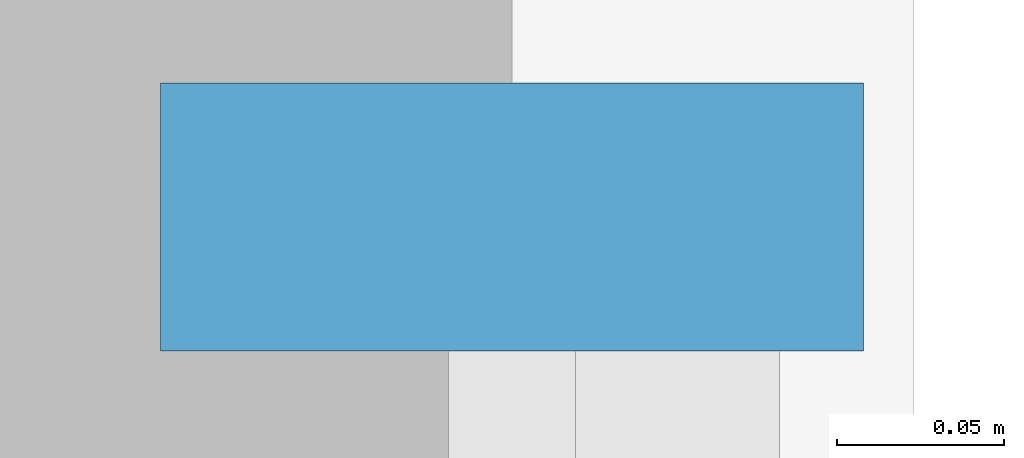
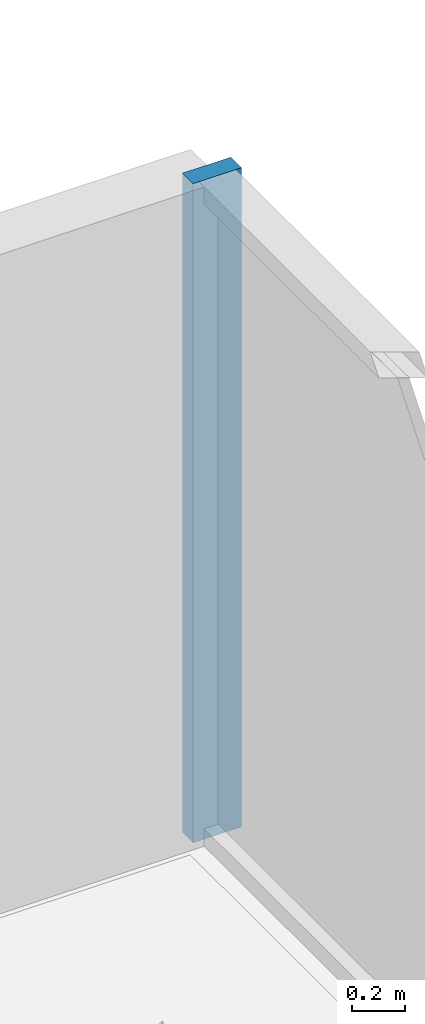
# One storey, part 5 of 11: 1 member, 1 element without a shape of its own.
"""IFC4 building model written with IfcOpenShell, lengths in metres."""

from ifc_helpers import new_model, si_unit, direction, frame, origin, origin_2d, place, context, subcontext, project, spatial, rectangle, extrude, source, transform, mapped, material, layer, layer_set, material_profile, profile_set, type_object, element, aggregate, save


model = new_model("IFC4")

# Units and contexts
model_context = context("Model", 3, precision=1e-05, world=origin(), true_north=direction((0.0, 1.0)))
body_context = subcontext(model_context, "Body", "Model", "MODEL_VIEW")
ifc_project = project(units=[si_unit("LENGTHUNIT", "METRE"), si_unit("AREAUNIT", "SQUARE_METRE"), si_unit("VOLUMEUNIT", "CUBIC_METRE"), si_unit("PLANEANGLEUNIT", "RADIAN"), si_unit("MASSUNIT", "GRAM", prefix="KILO")], contexts=[model_context])

# Site, building, storey
site_placement = place(None, origin())
site = spatial("IfcSite", under=ifc_project, at=site_placement, CompositionType="ELEMENT")
building_placement = place(site_placement, origin())
building = spatial("IfcBuilding", under=site, at=building_placement, Name="Qianlan Lanfeng Residences", CompositionType="ELEMENT")
storey_placement = place(building_placement, frame((0.0, 0.0, 124.60009765625)))
storey = spatial("IfcBuildingStorey", under=building, at=storey_placement, Name="L34", CompositionType="ELEMENT", Elevation=124.60009765625)

# Curtain wall, member
ifc_material = material(Name="Anodised Bronze Aluminium 6063-T6", Category="aluminium")
ifc_layer = layer(ifc_material, 0.219970703125)
ifc_layer_set = layer_set([ifc_layer], Name="Anodised Bronze Aluminium 6063-T6")
curtain_wall_type = type_object("IfcCurtainWallType", Name="CW-03", PredefinedType="NOTDEFINED", material=ifc_layer_set)
curtain_wall_placement = place(storey_placement, origin())
curtain_wall = element("IfcCurtainWall", 1, at=curtain_wall_placement, inside=storey, type_object=curtain_wall_type, Name="L34 Unitised Curtain Wall CWR-L34-05 (CW-03)", PredefinedType="NOTDEFINED")
ifc_material_profile = material_profile(ifc_material, rectangle(XDim=0.080078125, YDim=0.2099609375, at=origin_2d()), Name="ALU MULLION 80x210")
ifc_profile_set = profile_set([ifc_material_profile], Name="Anodised Bronze Aluminium 6063-T6")
member_type = type_object("IfcMemberType", Name="CWM-220", PredefinedType="MULLION", material=ifc_profile_set)
shared_shape = source(origin(), body_context, "Body", "SweptSolid", [
    extrude(rectangle(XDim=0.080078125, YDim=0.2099609375, at=origin_2d()), origin(), (0.0, 0.0, 1.0), 3.02978515625),
])
member_placement = place(storey_placement, frame((51.3798828125, 35.2900390625, 0.0), z_axis=(0.0, 0.0, 1.0), x_axis=(0.0, 1.0, 0.0)))
member = element("IfcMember", 2, at=member_placement, type_object=member_type, Name="CWR-L34-05 Mullion 3", PredefinedType="MULLION", context=body_context, shape_type="MappedRepresentation", body=[
    mapped(shared_shape, transform((0.0, 0.0, 0.0), scale=1.0)),
])
aggregate(curtain_wall, [member])

save(model, "model.ifc")
